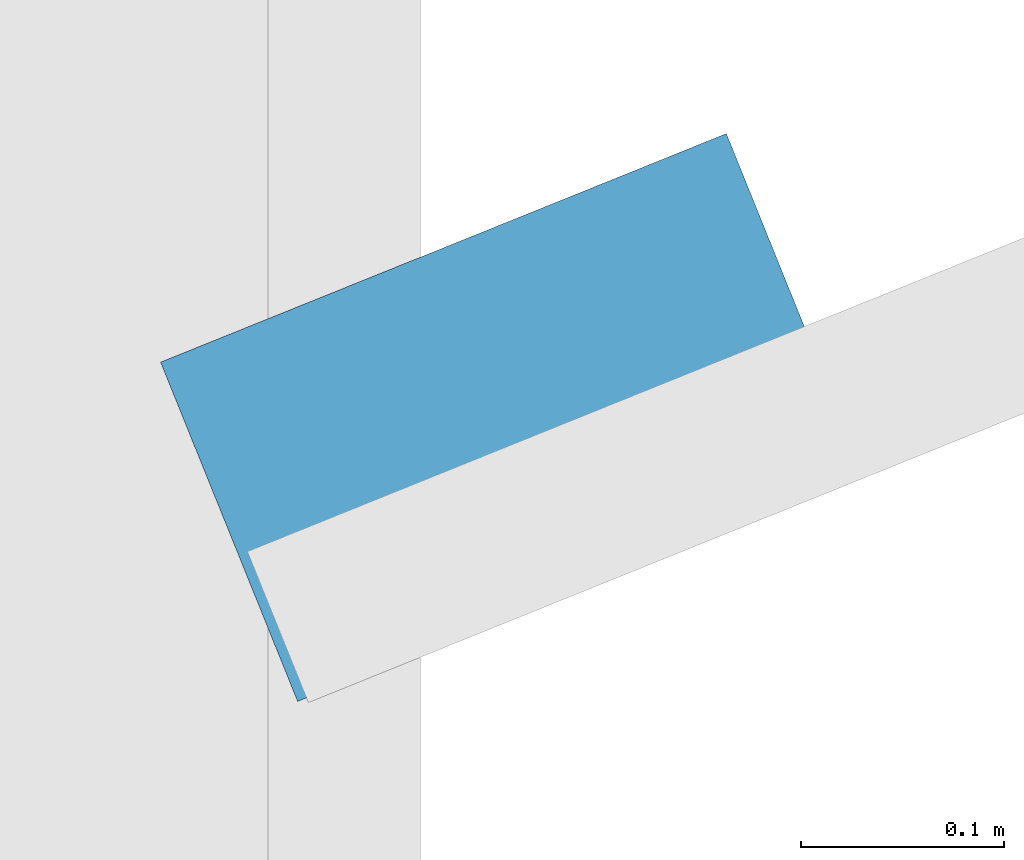
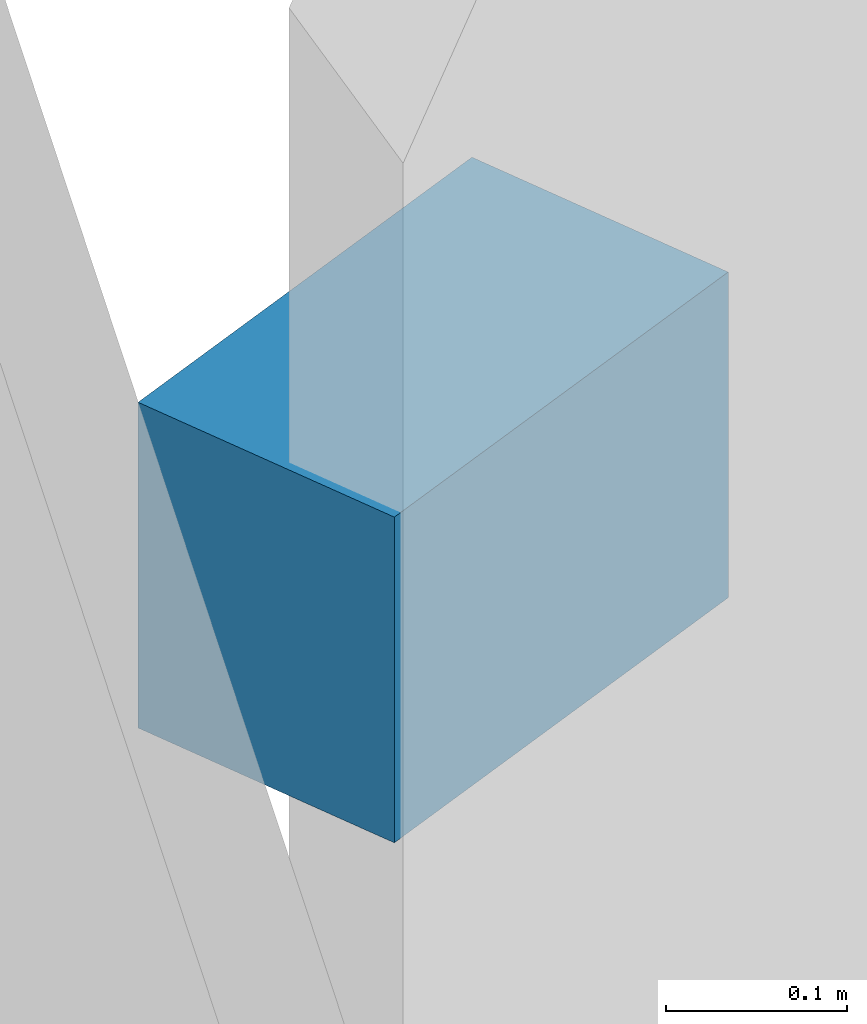
# One storey, part 62 of 70: 1 discrete accessory.
"""IFC4 building model written with IfcOpenShell, lengths in metres."""

import ifcopenshell
import ifcopenshell.guid

model = None  # the IFC model being written
_history = None  # IfcOwnerHistory: only IFC2X3 demands one
_inside = {}  # id of a spatial element -> (the spatial element, [elements in it])
_under = {}  # id of a project, library or spatial element -> (it, [spatial elements below it])
_declared = {}  # id of a project -> (the project, [libraries it declares])
_typed = {}  # id of a type object -> (the type object, [elements of that type])
_made_of = {}  # id of a material, layer set ... -> (it, [elements and type objects made of it])


def new_model(schema):
    """Start an empty IFC model of exactly this schema.

    Asked for "IFC4X3", IfcOpenShell would pick the latest addendum, in which some entities
    have other attributes; the version numbers below select the first issue.
    IFC2X3 requires an IfcOwnerHistory on every rooted entity: one is made here for all.
    """
    global model, _history
    if schema == "IFC4X3":
        model = ifcopenshell.file(schema_version=(4, 3, 0, 0))
    else:
        model = ifcopenshell.file(schema=schema)
    _inside.clear()
    _under.clear()
    _declared.clear()
    _typed.clear()
    _made_of.clear()
    _history = None
    if model.schema == "IFC2X3":
        org = make("IfcOrganization", Name="unknown")
        user = make(
            "IfcPersonAndOrganization",
            ThePerson=make("IfcPerson", FamilyName="unknown"),
            TheOrganization=org,
        )
        app = make(
            "IfcApplication",
            ApplicationDeveloper=org,
            Version="unknown",
            ApplicationFullName="unknown",
            ApplicationIdentifier="unknown",
        )
        _history = make(
            "IfcOwnerHistory",
            OwningUser=user,
            OwningApplication=app,
            ChangeAction="ADDED",
            CreationDate=0,
        )
    return model


def make(cls, **values):
    """One entity of the class cls with the attributes given. An attribute that is None is left unset."""
    return model.create_entity(
        cls, **{name: value for name, value in values.items() if value is not None}
    )


def rooted(cls, **values):
    """An entity with a GlobalId (a new one), such as an element, a storey or a relation."""
    return make(cls, GlobalId=ifcopenshell.guid.new(), OwnerHistory=_history, **values)


def si_unit(unit_type, name, prefix=None):
    """IfcSIUnit, for example si_unit("LENGTHUNIT", "METRE", prefix="MILLI")."""
    return make("IfcSIUnit", UnitType=unit_type, Prefix=prefix, Name=name)


def assignment(units):
    """IfcUnitAssignment: the units of a project."""
    return None if units is None else make("IfcUnitAssignment", Units=units)


def point(xyz):
    """IfcCartesianPoint."""
    return None if xyz is None else make("IfcCartesianPoint", Coordinates=xyz)


def direction(xyz):
    """IfcDirection."""
    return None if xyz is None else make("IfcDirection", DirectionRatios=xyz)


def frame(location, z_axis=None, x_axis=None):
    """IfcAxis2Placement3D, a coordinate frame: its origin and axes. An axis left out is left unset."""
    return make(
        "IfcAxis2Placement3D",
        Location=point(location),
        Axis=direction(z_axis),
        RefDirection=direction(x_axis),
    )


def frame_2d(location, x_axis=None):
    """IfcAxis2Placement2D, a coordinate frame in the plane: its origin and x axis."""
    return make(
        "IfcAxis2Placement2D", Location=point(location), RefDirection=direction(x_axis)
    )


def origin():
    """The frame at (0, 0, 0) with its axes left unset."""
    return frame((0.0, 0.0, 0.0))


def origin_2d():
    """The frame at (0, 0) in the plane with its x axis left unset."""
    return frame_2d((0.0, 0.0))


def place(relative_to, where):
    """IfcLocalPlacement: puts the frame where relative to a parent placement (None: the world)."""
    return make(
        "IfcLocalPlacement", PlacementRelTo=relative_to, RelativePlacement=where
    )


def context(
    kind, dimensions, precision=None, world=None, true_north=None, identifier=None
):
    """IfcGeometricRepresentationContext, for example the 3D "Model" context."""
    return make(
        "IfcGeometricRepresentationContext",
        ContextIdentifier=identifier,
        ContextType=kind,
        CoordinateSpaceDimension=dimensions,
        Precision=precision,
        WorldCoordinateSystem=world,
        TrueNorth=true_north,
    )


def subcontext(parent, identifier, kind, view, scale=None):
    """IfcGeometricRepresentationSubContext, for example "Body" below "Model"."""
    return make(
        "IfcGeometricRepresentationSubContext",
        ContextIdentifier=identifier,
        ContextType=kind,
        ParentContext=parent,
        TargetScale=scale,
        TargetView=view,
    )


def project(units=None, contexts=None):
    """IfcProject with its units and contexts."""
    return rooted(
        "IfcProject",
        Name="project",
        RepresentationContexts=contexts,
        UnitsInContext=assignment(units),
    )


def spatial(cls, under=None, at=None, **own):
    """A site, building, storey or space (cls), placed at a placement, below another one or the project."""
    s = rooted(cls, ObjectPlacement=at, **own)
    if under is not None:
        _under.setdefault(under.id(), (under, []))[1].append(s)
    return s


def profile(cls, at=None, kind="AREA", **sizes):
    """A parametric profile (cls). Its sizes go by their IFC names, for example OverallWidth=200.0."""
    return make(cls, ProfileType=kind, Position=at, **sizes)


def rectangle(**sizes):
    """IfcRectangleProfileDef."""
    return profile("IfcRectangleProfileDef", **sizes)


def extrude(swept, where, along, depth):
    """IfcExtrudedAreaSolid: the profile swept, set in the frame where, extruded along a direction by depth."""
    return make(
        "IfcExtrudedAreaSolid",
        SweptArea=swept,
        Position=where,
        ExtrudedDirection=direction(along),
        Depth=depth,
    )


def shape(context_of_items, identifier, shape_type, items):
    """IfcShapeRepresentation: the items that make up one representation, for example the "Body"."""
    return make(
        "IfcShapeRepresentation",
        ContextOfItems=context_of_items,
        RepresentationIdentifier=identifier,
        RepresentationType=shape_type,
        Items=items,
    )


def material(Name=None, Category=None):
    """IfcMaterial."""
    return make("IfcMaterial", Name=Name, Category=Category)


def made_of(thing, what):
    """Note that an element or type object is made of a material, layer set ...; save() writes the relation."""
    if what is not None:
        _made_of.setdefault(what.id(), (what, []))[1].append(thing)
    return thing


def type_object(cls, material=None, **own):
    """A type object (cls), such as IfcWallType, which elements share."""
    return made_of(rooted(cls, **own), material)


def element(
    cls,
    number,
    at=None,
    inside=None,
    cuts=None,
    type_object=None,
    material=None,
    context=None,
    identifier="Body",
    shape_type=None,
    held_by="IfcProductDefinitionShape",
    body=None,
    shapes=None,
    **own,
):
    """One element of the class cls, such as IfcWall. Its Tag is "e" and its number.

    at: its placement. inside: the storey or other place that contains it. cuts: it is an
    opening in that element (IfcRelVoidsElement). A single representation is given by context,
    identifier, shape_type and body (its items); several are given by shapes. held_by: the class
    of the entity that holds the representations. save() writes the other relations.
    """
    e = rooted(cls, Tag="e%d" % number, ObjectPlacement=at, **own)
    if body is not None:
        shapes = [shape(context, identifier, shape_type, body)]
    if shapes is not None:
        e.Representation = make(held_by, Representations=shapes)
    if inside is not None:
        _inside.setdefault(inside.id(), (inside, []))[1].append(e)
    if cuts is not None:
        rooted(
            "IfcRelVoidsElement", RelatingBuildingElement=cuts, RelatedOpeningElement=e
        )
    if type_object is not None:
        _typed.setdefault(type_object.id(), (type_object, []))[1].append(e)
    return made_of(e, material)


def aggregate(whole, parts):
    """IfcRelAggregates: a whole, such as a stair, and the parts it consists of."""
    return rooted("IfcRelAggregates", RelatingObject=whole, RelatedObjects=parts)


def save(model, path):
    """Write the relations noted so far, then the file.

    IfcRelAggregates (storeys below a building ...), IfcRelContainedInSpatialStructure (elements
    in a storey), IfcRelDefinesByType, IfcRelAssociatesMaterial and IfcRelDeclares: one each for
    every whole, place, type object, material and project.
    """
    for whole, parts in _under.values():
        aggregate(whole, parts)
    for where, things in _inside.values():
        rooted(
            "IfcRelContainedInSpatialStructure",
            RelatedElements=things,
            RelatingStructure=where,
        )
    for kind, things in _typed.values():
        rooted("IfcRelDefinesByType", RelatedObjects=things, RelatingType=kind)
    for what, things in _made_of.values():
        rooted("IfcRelAssociatesMaterial", RelatedObjects=things, RelatingMaterial=what)
    for by, libraries in _declared.values():
        rooted("IfcRelDeclares", RelatingContext=by, RelatedDefinitions=libraries)
    model.write(path)


model = new_model("IFC4")

# Units and contexts
model_context = context("Model", 3, precision=1e-05, world=origin(), true_north=direction((0.0, 1.0)))
body_context = subcontext(model_context, "Body", "Model", "MODEL_VIEW")
ifc_project = project(units=[si_unit("LENGTHUNIT", "METRE"), si_unit("AREAUNIT", "SQUARE_METRE"), si_unit("VOLUMEUNIT", "CUBIC_METRE"), si_unit("PLANEANGLEUNIT", "RADIAN"), si_unit("MASSUNIT", "GRAM", prefix="KILO")], contexts=[model_context])

# Site, building, storey
site_placement = place(None, origin())
site = spatial("IfcSite", under=ifc_project, at=site_placement, CompositionType="ELEMENT")
building_placement = place(site_placement, origin())
building = spatial("IfcBuilding", under=site, at=building_placement, Name="Vaudrelin Polytechnic", CompositionType="ELEMENT")
storey_placement = place(building_placement, frame((0.0, 0.0, 14.110107421875)))
storey = spatial("IfcBuildingStorey", under=building, at=storey_placement, Name="L03", CompositionType="ELEMENT", Elevation=14.110107421875)

# Discrete accessory
ifc_material = material(Name="Galvanised steel CSA G40.21 350W", Category="steel")
discrete_accessory_type = type_object("IfcDiscreteAccessoryType", Name="ENV-BRK-01", PredefinedType="BRACKET", material=ifc_material)
discrete_accessory_placement = place(storey_placement, frame((170.39501953125, 20.25, 0.98974609375), z_axis=(0.0, 0.0, 1.0), x_axis=(0.927183854567, 0.374606593416, 0.0)))
element("IfcDiscreteAccessory", 1, at=discrete_accessory_placement, inside=storey, type_object=discrete_accessory_type, Name="Solar fin support bracket BRK-033", PredefinedType="BRACKET", context=body_context, shape_type="SweptSolid", body=[
    extrude(rectangle(XDim=0.300048828125, YDim=0.179931640625, at=origin_2d()), origin(), (0.0, 0.0, 1.0), 0.219970703125),
])

save(model, "model.ifc")
